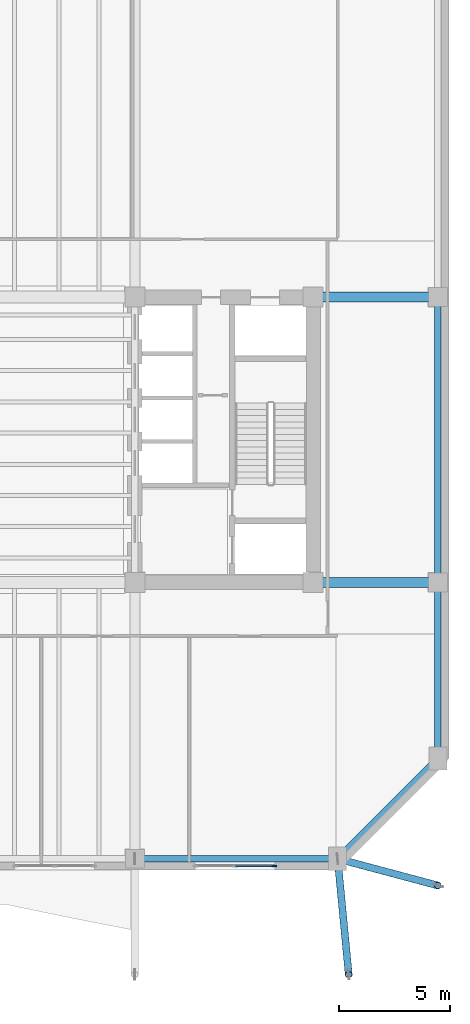
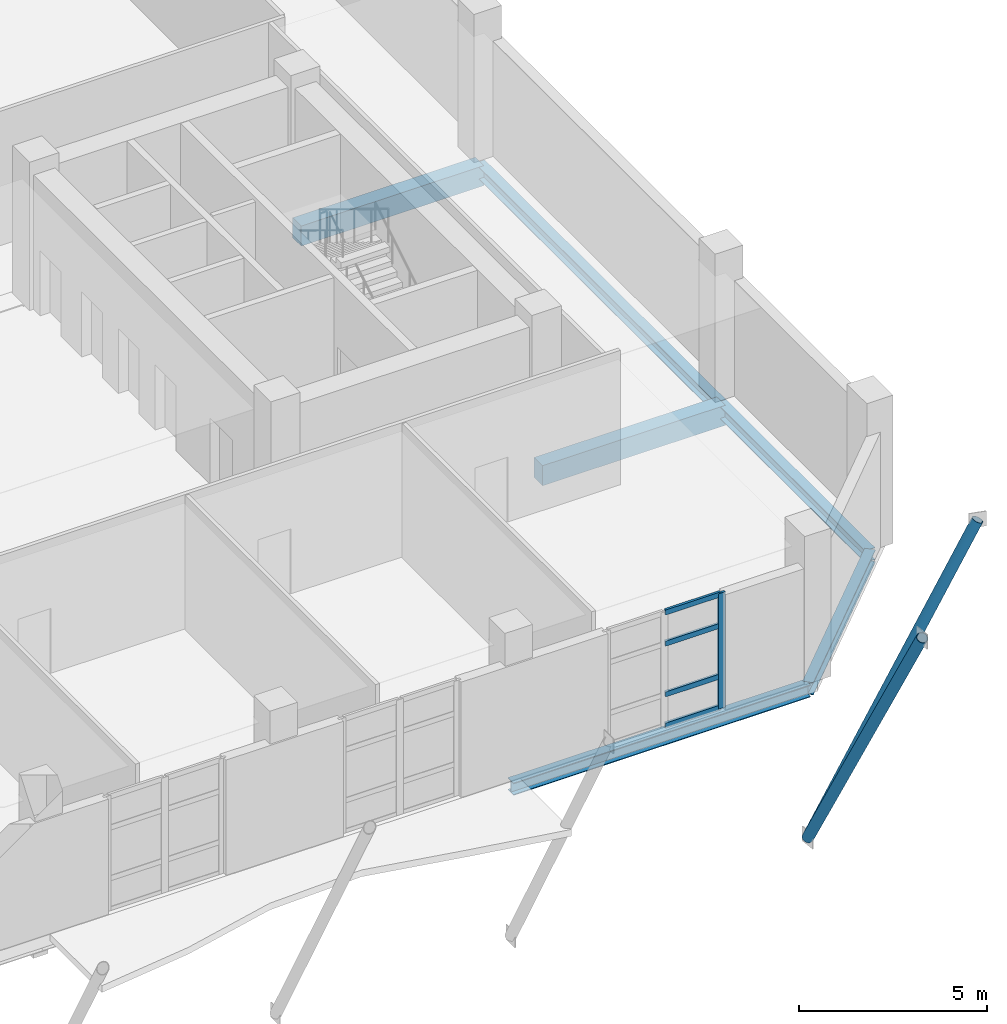
# One storey, part 4 of 15: 7 members, 6 beams, 1 element without a shape of its own.
"""IFC4 building model written with IfcOpenShell, lengths in metres."""

import ifcopenshell
import ifcopenshell.guid

model = None  # the IFC model being written
_history = None  # IfcOwnerHistory: only IFC2X3 demands one
_inside = {}  # id of a spatial element -> (the spatial element, [elements in it])
_under = {}  # id of a project, library or spatial element -> (it, [spatial elements below it])
_declared = {}  # id of a project -> (the project, [libraries it declares])
_typed = {}  # id of a type object -> (the type object, [elements of that type])
_made_of = {}  # id of a material, layer set ... -> (it, [elements and type objects made of it])


def new_model(schema):
    """Start an empty IFC model of exactly this schema.

    Asked for "IFC4X3", IfcOpenShell would pick the latest addendum, in which some entities
    have other attributes; the version numbers below select the first issue.
    IFC2X3 requires an IfcOwnerHistory on every rooted entity: one is made here for all.
    """
    global model, _history
    if schema == "IFC4X3":
        model = ifcopenshell.file(schema_version=(4, 3, 0, 0))
    else:
        model = ifcopenshell.file(schema=schema)
    _inside.clear()
    _under.clear()
    _declared.clear()
    _typed.clear()
    _made_of.clear()
    _history = None
    if model.schema == "IFC2X3":
        org = make("IfcOrganization", Name="unknown")
        user = make(
            "IfcPersonAndOrganization",
            ThePerson=make("IfcPerson", FamilyName="unknown"),
            TheOrganization=org,
        )
        app = make(
            "IfcApplication",
            ApplicationDeveloper=org,
            Version="unknown",
            ApplicationFullName="unknown",
            ApplicationIdentifier="unknown",
        )
        _history = make(
            "IfcOwnerHistory",
            OwningUser=user,
            OwningApplication=app,
            ChangeAction="ADDED",
            CreationDate=0,
        )
    return model


def make(cls, **values):
    """One entity of the class cls with the attributes given. An attribute that is None is left unset."""
    return model.create_entity(
        cls, **{name: value for name, value in values.items() if value is not None}
    )


def rooted(cls, **values):
    """An entity with a GlobalId (a new one), such as an element, a storey or a relation."""
    return make(cls, GlobalId=ifcopenshell.guid.new(), OwnerHistory=_history, **values)


def si_unit(unit_type, name, prefix=None):
    """IfcSIUnit, for example si_unit("LENGTHUNIT", "METRE", prefix="MILLI")."""
    return make("IfcSIUnit", UnitType=unit_type, Prefix=prefix, Name=name)


def assignment(units):
    """IfcUnitAssignment: the units of a project."""
    return None if units is None else make("IfcUnitAssignment", Units=units)


def point(xyz):
    """IfcCartesianPoint."""
    return None if xyz is None else make("IfcCartesianPoint", Coordinates=xyz)


def direction(xyz):
    """IfcDirection."""
    return None if xyz is None else make("IfcDirection", DirectionRatios=xyz)


def frame(location, z_axis=None, x_axis=None):
    """IfcAxis2Placement3D, a coordinate frame: its origin and axes. An axis left out is left unset."""
    return make(
        "IfcAxis2Placement3D",
        Location=point(location),
        Axis=direction(z_axis),
        RefDirection=direction(x_axis),
    )


def frame_2d(location, x_axis=None):
    """IfcAxis2Placement2D, a coordinate frame in the plane: its origin and x axis."""
    return make(
        "IfcAxis2Placement2D", Location=point(location), RefDirection=direction(x_axis)
    )


def origin():
    """The frame at (0, 0, 0) with its axes left unset."""
    return frame((0.0, 0.0, 0.0))


def origin_2d():
    """The frame at (0, 0) in the plane with its x axis left unset."""
    return frame_2d((0.0, 0.0))


def place(relative_to, where):
    """IfcLocalPlacement: puts the frame where relative to a parent placement (None: the world)."""
    return make(
        "IfcLocalPlacement", PlacementRelTo=relative_to, RelativePlacement=where
    )


def context(
    kind, dimensions, precision=None, world=None, true_north=None, identifier=None
):
    """IfcGeometricRepresentationContext, for example the 3D "Model" context."""
    return make(
        "IfcGeometricRepresentationContext",
        ContextIdentifier=identifier,
        ContextType=kind,
        CoordinateSpaceDimension=dimensions,
        Precision=precision,
        WorldCoordinateSystem=world,
        TrueNorth=true_north,
    )


def subcontext(parent, identifier, kind, view, scale=None):
    """IfcGeometricRepresentationSubContext, for example "Body" below "Model"."""
    return make(
        "IfcGeometricRepresentationSubContext",
        ContextIdentifier=identifier,
        ContextType=kind,
        ParentContext=parent,
        TargetScale=scale,
        TargetView=view,
    )


def project(units=None, contexts=None):
    """IfcProject with its units and contexts."""
    return rooted(
        "IfcProject",
        Name="project",
        RepresentationContexts=contexts,
        UnitsInContext=assignment(units),
    )


def spatial(cls, under=None, at=None, **own):
    """A site, building, storey or space (cls), placed at a placement, below another one or the project."""
    s = rooted(cls, ObjectPlacement=at, **own)
    if under is not None:
        _under.setdefault(under.id(), (under, []))[1].append(s)
    return s


def profile(cls, at=None, kind="AREA", **sizes):
    """A parametric profile (cls). Its sizes go by their IFC names, for example OverallWidth=200.0."""
    return make(cls, ProfileType=kind, Position=at, **sizes)


def rectangle(**sizes):
    """IfcRectangleProfileDef."""
    return profile("IfcRectangleProfileDef", **sizes)


def hollow_circle(**sizes):
    """IfcCircleHollowProfileDef."""
    return profile("IfcCircleHollowProfileDef", **sizes)


def i_section(**sizes):
    """IfcIShapeProfileDef."""
    return profile("IfcIShapeProfileDef", **sizes)


def extrude(swept, where, along, depth):
    """IfcExtrudedAreaSolid: the profile swept, set in the frame where, extruded along a direction by depth."""
    return make(
        "IfcExtrudedAreaSolid",
        SweptArea=swept,
        Position=where,
        ExtrudedDirection=direction(along),
        Depth=depth,
    )


def shape(context_of_items, identifier, shape_type, items):
    """IfcShapeRepresentation: the items that make up one representation, for example the "Body"."""
    return make(
        "IfcShapeRepresentation",
        ContextOfItems=context_of_items,
        RepresentationIdentifier=identifier,
        RepresentationType=shape_type,
        Items=items,
    )


def material(Name=None, Category=None):
    """IfcMaterial."""
    return make("IfcMaterial", Name=Name, Category=Category)


def layer(
    of_material, thickness, ventilated=None, Name=None, Category=None, Priority=None
):
    """IfcMaterialLayer: one layer of a wall or slab, of a material (None: an air gap)."""
    return make(
        "IfcMaterialLayer",
        Material=of_material,
        LayerThickness=thickness,
        IsVentilated=ventilated,
        Name=Name,
        Category=Category,
        Priority=Priority,
    )


def layer_set(layers, Name=None):
    """IfcMaterialLayerSet."""
    return make("IfcMaterialLayerSet", MaterialLayers=layers, LayerSetName=Name)


def material_profile(
    of_material, cross_section, Name=None, Category=None, Priority=None
):
    """IfcMaterialProfile: a cross section and its material."""
    return make(
        "IfcMaterialProfile",
        Name=Name,
        Material=of_material,
        Profile=cross_section,
        Priority=Priority,
        Category=Category,
    )


def profile_set(profiles, Name=None, composite=None):
    """IfcMaterialProfileSet."""
    return make(
        "IfcMaterialProfileSet",
        Name=Name,
        MaterialProfiles=profiles,
        CompositeProfile=composite,
    )


def made_of(thing, what):
    """Note that an element or type object is made of a material, layer set ...; save() writes the relation."""
    if what is not None:
        _made_of.setdefault(what.id(), (what, []))[1].append(thing)
    return thing


def type_object(cls, material=None, **own):
    """A type object (cls), such as IfcWallType, which elements share."""
    return made_of(rooted(cls, **own), material)


def element(
    cls,
    number,
    at=None,
    inside=None,
    cuts=None,
    type_object=None,
    material=None,
    context=None,
    identifier="Body",
    shape_type=None,
    held_by="IfcProductDefinitionShape",
    body=None,
    shapes=None,
    **own,
):
    """One element of the class cls, such as IfcWall. Its Tag is "e" and its number.

    at: its placement. inside: the storey or other place that contains it. cuts: it is an
    opening in that element (IfcRelVoidsElement). A single representation is given by context,
    identifier, shape_type and body (its items); several are given by shapes. held_by: the class
    of the entity that holds the representations. save() writes the other relations.
    """
    e = rooted(cls, Tag="e%d" % number, ObjectPlacement=at, **own)
    if body is not None:
        shapes = [shape(context, identifier, shape_type, body)]
    if shapes is not None:
        e.Representation = make(held_by, Representations=shapes)
    if inside is not None:
        _inside.setdefault(inside.id(), (inside, []))[1].append(e)
    if cuts is not None:
        rooted(
            "IfcRelVoidsElement", RelatingBuildingElement=cuts, RelatedOpeningElement=e
        )
    if type_object is not None:
        _typed.setdefault(type_object.id(), (type_object, []))[1].append(e)
    return made_of(e, material)


def aggregate(whole, parts):
    """IfcRelAggregates: a whole, such as a stair, and the parts it consists of."""
    return rooted("IfcRelAggregates", RelatingObject=whole, RelatedObjects=parts)


def save(model, path):
    """Write the relations noted so far, then the file.

    IfcRelAggregates (storeys below a building ...), IfcRelContainedInSpatialStructure (elements
    in a storey), IfcRelDefinesByType, IfcRelAssociatesMaterial and IfcRelDeclares: one each for
    every whole, place, type object, material and project.
    """
    for whole, parts in _under.values():
        aggregate(whole, parts)
    for where, things in _inside.values():
        rooted(
            "IfcRelContainedInSpatialStructure",
            RelatedElements=things,
            RelatingStructure=where,
        )
    for kind, things in _typed.values():
        rooted("IfcRelDefinesByType", RelatedObjects=things, RelatingType=kind)
    for what, things in _made_of.values():
        rooted("IfcRelAssociatesMaterial", RelatedObjects=things, RelatingMaterial=what)
    for by, libraries in _declared.values():
        rooted("IfcRelDeclares", RelatingContext=by, RelatedDefinitions=libraries)
    model.write(path)


model = new_model("IFC4")

# Units and contexts
model_context = context("Model", 3, precision=1e-05, world=origin(), true_north=direction((0.0, 1.0)))
body_context = subcontext(model_context, "Body", "Model", "MODEL_VIEW")
ifc_project = project(units=[si_unit("LENGTHUNIT", "METRE"), si_unit("AREAUNIT", "SQUARE_METRE"), si_unit("VOLUMEUNIT", "CUBIC_METRE"), si_unit("PLANEANGLEUNIT", "RADIAN"), si_unit("MASSUNIT", "GRAM", prefix="KILO")], contexts=[model_context])

# Site, building, storey
site_placement = place(None, origin())
site = spatial("IfcSite", under=ifc_project, at=site_placement, CompositionType="ELEMENT")
building_placement = place(site_placement, origin())
building = spatial("IfcBuilding", under=site, at=building_placement, Name="Kranthara Brick Stack", CompositionType="ELEMENT")
storey_placement = place(building_placement, frame((0.0, 0.0, 202.699951171875)))
storey = spatial("IfcBuildingStorey", under=building, at=storey_placement, Name="L52", CompositionType="ELEMENT", Elevation=202.699951171875)

# Beams
ifc_material_1 = material(Name="Post-tensioned concrete C45/55", Category="concrete")
ifc_material_profile_1 = material_profile(ifc_material_1, rectangle(XDim=0.449951171875, YDim=0.64990234375, at=origin_2d()), Name="PT 450x650")
ifc_profile_set_1 = profile_set([ifc_material_profile_1], Name="Post-tensioned concrete C45/55")
beam_type_1 = type_object("IfcBeamType", Name="BM-FLR-PT650", PredefinedType="BEAM", material=ifc_profile_set_1)
for number, where, z_axis, x_axis, name in (
    (1, (43.199951171875, 20.800048828125, -0.68505859375), (1.0, 0.0, 0.0), (0.0, 1.0, 0.0), "L52 Primary Grid Girder 031"),
    (2, (43.199951171875, 33.60009765625, -0.68505859375), (1.0, 0.0, 0.0), (0.0, 1.0, 0.0), "L52 Primary Grid Girder 033"),
):
    element("IfcBeam", number, at=place(storey_placement, frame(where, z_axis=z_axis, x_axis=x_axis)), inside=storey, type_object=beam_type_1, Name=name, PredefinedType="BEAM", context=body_context, shape_type="SweptSolid", body=[
        extrude(rectangle(XDim=0.449951171875, YDim=0.64990234375, at=origin_2d()), origin(), (0.0, 0.0, 1.0), 5.60009765625),
    ])
ifc_material_2 = material(Name="Steel S355", Category="steel")
ifc_material_profile_2 = material_profile(ifc_material_2, i_section(OverallWidth=0.300048828125, OverallDepth=0.39990234375, WebThickness=0.013427734375, FlangeThickness=0.02392578125, at=origin_2d()), Name="HEB 400")
ifc_profile_set_2 = profile_set([ifc_material_profile_2], Name="Steel S355")
beam_type_2 = type_object("IfcBeamType", Name="BM-STL-HEB400", PredefinedType="SPANDREL", material=ifc_profile_set_2)
beam_1_placement = place(storey_placement, frame((35.199951171875, 8.39990234375, -0.56005859375), z_axis=(1.0, 0.0, 0.0), x_axis=(0.0, 1.0, 0.0)))
element("IfcBeam", 3, at=beam_1_placement, inside=storey, type_object=beam_type_2, Name="L52 Perimeter Spandrel Beam 008", PredefinedType="SPANDREL", context=body_context, shape_type="SweptSolid", body=[
    extrude(i_section(OverallWidth=0.300048828125, OverallDepth=0.39990234375, WebThickness=0.013427734375, FlangeThickness=0.02392578125, at=origin_2d()), origin(), (0.0, 0.0, 1.0), 9.10009765625),
])
beam_2_placement = place(storey_placement, frame((48.800048828125, 12.89990234375, -0.56005859375), z_axis=(0.0, 1.0, 0.0), x_axis=(-1.0, 0.0, 0.0)))
element("IfcBeam", 4, at=beam_2_placement, inside=storey, type_object=beam_type_2, Name="L52 Perimeter Spandrel Beam 016", PredefinedType="SPANDREL", context=body_context, shape_type="SweptSolid", body=[
    extrude(i_section(OverallWidth=0.300048828125, OverallDepth=0.39990234375, WebThickness=0.013427734375, FlangeThickness=0.02392578125, at=origin_2d()), origin(), (0.0, 0.0, 1.0), 7.900146484375),
])
beam_3_placement = place(storey_placement, frame((48.800048828125, 20.800048828125, -0.56005859375), z_axis=(0.0, 1.0, 0.0), x_axis=(-1.0, 0.0, 0.0)))
element("IfcBeam", 5, at=beam_3_placement, inside=storey, type_object=beam_type_2, Name="L52 Perimeter Spandrel Beam 017", PredefinedType="SPANDREL", context=body_context, shape_type="SweptSolid", body=[
    extrude(i_section(OverallWidth=0.300048828125, OverallDepth=0.39990234375, WebThickness=0.013427734375, FlangeThickness=0.02392578125, at=origin_2d()), origin(), (0.0, 0.0, 1.0), 12.800048828125),
])
beam_4_placement = place(storey_placement, frame((44.300048828125, 8.39990234375, -0.56005859375), z_axis=(0.707106781187, 0.707106781187, 0.0), x_axis=(-0.707106781187, 0.707106781187, 0.0)))
element("IfcBeam", 6, at=beam_4_placement, inside=storey, type_object=beam_type_2, Name="L52 Chamfer Corner Spandrel 020", PredefinedType="SPANDREL", context=body_context, shape_type="SweptSolid", body=[
    extrude(i_section(OverallWidth=0.300048828125, OverallDepth=0.39990234375, WebThickness=0.013427734375, FlangeThickness=0.02392578125, at=origin_2d()), origin(), (0.0, 0.0, 1.0), 6.364013671875),
])

# Curtain wall, members
ifc_material_3 = material(Name="Bronze anodised aluminium and low-E glass", Category="aluminium")
ifc_layer = layer(ifc_material_3, 0.199951171875)
ifc_layer_set = layer_set([ifc_layer], Name="Bronze anodised aluminium and low-E glass")
curtain_wall_type = type_object("IfcCurtainWallType", Name="CW-SYS4-SKYLOBBY2", PredefinedType="USERDEFINED", material=ifc_layer_set)
curtain_wall_placement = place(storey_placement, origin())
curtain_wall = element("IfcCurtainWall", 7, at=curtain_wall_placement, inside=storey, type_object=curtain_wall_type, Name="L52 Curtain Wall CW4-L52-01", ObjectType="UNITISED CURTAIN WALL", PredefinedType="USERDEFINED")
ifc_material_4 = material(Name="Bronze anodised aluminium 6063-T6", Category="aluminium")
ifc_material_profile_3 = material_profile(ifc_material_4, rectangle(XDim=0.074951171875, YDim=0.219970703125, at=origin_2d()), Name="ALU MULLION 75x220")
ifc_profile_set_3 = profile_set([ifc_material_profile_3], Name="Bronze anodised aluminium 6063-T6")
member_type_1 = type_object("IfcMemberType", Name="CWM-75x220", PredefinedType="MULLION", material=ifc_profile_set_3)
member_1_placement = place(storey_placement, frame((41.46240234375, 8.080078125, 0.0), z_axis=(0.0, 0.0, 1.0), x_axis=(0.0, -1.0, 0.0)))
member_1 = element("IfcMember", 8, at=member_1_placement, type_object=member_type_1, Name="CW mullion 1", PredefinedType="MULLION", context=body_context, shape_type="SweptSolid", body=[
    extrude(rectangle(XDim=0.074951171875, YDim=0.219970703125, at=origin_2d()), origin(), (0.0, 0.0, 1.0), 3.735107421875),
])
ifc_material_5 = material(Name="Bronze anodised aluminium 6063-T6", Category="aluminium")
ifc_material_profile_4 = material_profile(ifc_material_5, rectangle(XDim=0.074951171875, YDim=0.1650390625, at=origin_2d()), Name="ALU TRANSOM 75x165")
ifc_profile_set_4 = profile_set([ifc_material_profile_4], Name="Bronze anodised aluminium 6063-T6")
member_type_2 = type_object("IfcMemberType", Name="CWT-75x165", PredefinedType="USERDEFINED", material=ifc_profile_set_4)
member_2_placement = place(storey_placement, frame((41.425048828125, 8.080078125, 0.03759765625), z_axis=(-1.0, 0.0, 0.0), x_axis=(0.0, -1.0, 0.0)))
member_2 = element("IfcMember", 9, at=member_2_placement, type_object=member_type_2, Name="CW transom 1.1", ObjectType="TRANSOM", PredefinedType="USERDEFINED", context=body_context, shape_type="SweptSolid", body=[
    extrude(rectangle(XDim=0.074951171875, YDim=0.1650390625, at=origin_2d()), origin(), (0.0, 0.0, 1.0), 1.6875),
])
member_3_placement = place(storey_placement, frame((41.425048828125, 8.080078125, 1.0458984375), z_axis=(-1.0, 0.0, 0.0), x_axis=(0.0, -1.0, 0.0)))
member_3 = element("IfcMember", 10, at=member_3_placement, type_object=member_type_2, Name="CW transom 1.2", ObjectType="TRANSOM", PredefinedType="USERDEFINED", context=body_context, shape_type="SweptSolid", body=[
    extrude(rectangle(XDim=0.074951171875, YDim=0.1650390625, at=origin_2d()), origin(), (0.0, 0.0, 1.0), 1.6875),
])
member_4_placement = place(storey_placement, frame((41.425048828125, 8.080078125, 2.689208984375), z_axis=(-1.0, 0.0, 0.0), x_axis=(0.0, -1.0, 0.0)))
member_4 = element("IfcMember", 11, at=member_4_placement, type_object=member_type_2, Name="CW transom 1.3", ObjectType="TRANSOM", PredefinedType="USERDEFINED", context=body_context, shape_type="SweptSolid", body=[
    extrude(rectangle(XDim=0.074951171875, YDim=0.1650390625, at=origin_2d()), origin(), (0.0, 0.0, 1.0), 1.6875),
])
member_5_placement = place(storey_placement, frame((41.425048828125, 8.080078125, 3.697509765625), z_axis=(-1.0, 0.0, 0.0), x_axis=(0.0, -1.0, 0.0)))
member_5 = element("IfcMember", 12, at=member_5_placement, type_object=member_type_2, Name="CW transom 1.4", ObjectType="TRANSOM", PredefinedType="USERDEFINED", context=body_context, shape_type="SweptSolid", body=[
    extrude(rectangle(XDim=0.074951171875, YDim=0.1650390625, at=origin_2d()), origin(), (0.0, 0.0, 1.0), 1.6875),
])
aggregate(curtain_wall, [member_1, member_2, member_3, member_4, member_5])

# Members
ifc_material_6 = material(Name="Steel S355", Category="steel")
ifc_material_profile_5 = material_profile(ifc_material_6, hollow_circle(Radius=0.161865234375, WallThickness=0.01611328125, at=origin_2d()), Name="CHS 323.9x16")
ifc_profile_set_5 = profile_set([ifc_material_profile_5], Name="Steel S355")
member_type_3 = type_object("IfcMemberType", Name="MB-STR-CHS324", PredefinedType="STRUT", material=ifc_profile_set_5)
member_6_placement = place(storey_placement, frame((44.300048828125, 8.39990234375, -5.39990234375), z_axis=(0.046306010036, -0.481577982307, 0.875179067615), x_axis=(0.995408943473, 0.095713297161, 0.0)))
element("IfcMember", 13, at=member_6_placement, inside=storey, type_object=member_type_3, Name="L53 Jenga Raked Transfer Strut 50", PredefinedType="STRUT", context=body_context, shape_type="SweptSolid", body=[
    extrude(hollow_circle(Radius=0.161865234375, WallThickness=0.01611328125, at=origin_2d()), origin(), (0.0, 0.0, 1.0), 10.7978515625),
])
member_7_placement = place(storey_placement, frame((44.300048828125, 8.39990234375, -5.39990234375), z_axis=(0.427137529797, -0.11389870654, 0.896984177835), x_axis=(0.257652862255, 0.966237549763, 0.0)))
element("IfcMember", 14, at=member_7_placement, inside=storey, type_object=member_type_3, Name="L53 Jenga Raked Transfer Strut 52", PredefinedType="STRUT", context=body_context, shape_type="SweptSolid", body=[
    extrude(hollow_circle(Radius=0.161865234375, WallThickness=0.01611328125, at=origin_2d()), origin(), (0.0, 0.0, 1.0), 10.53515625),
])

save(model, "model.ifc")
